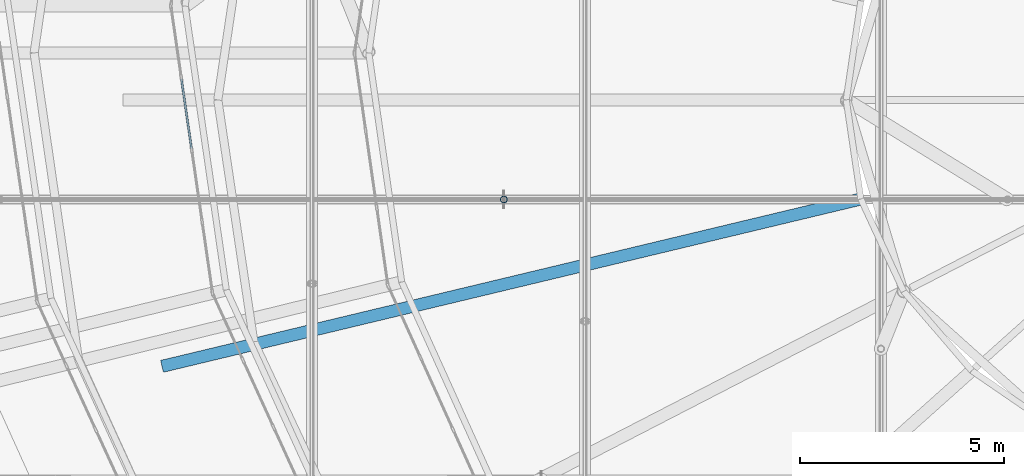
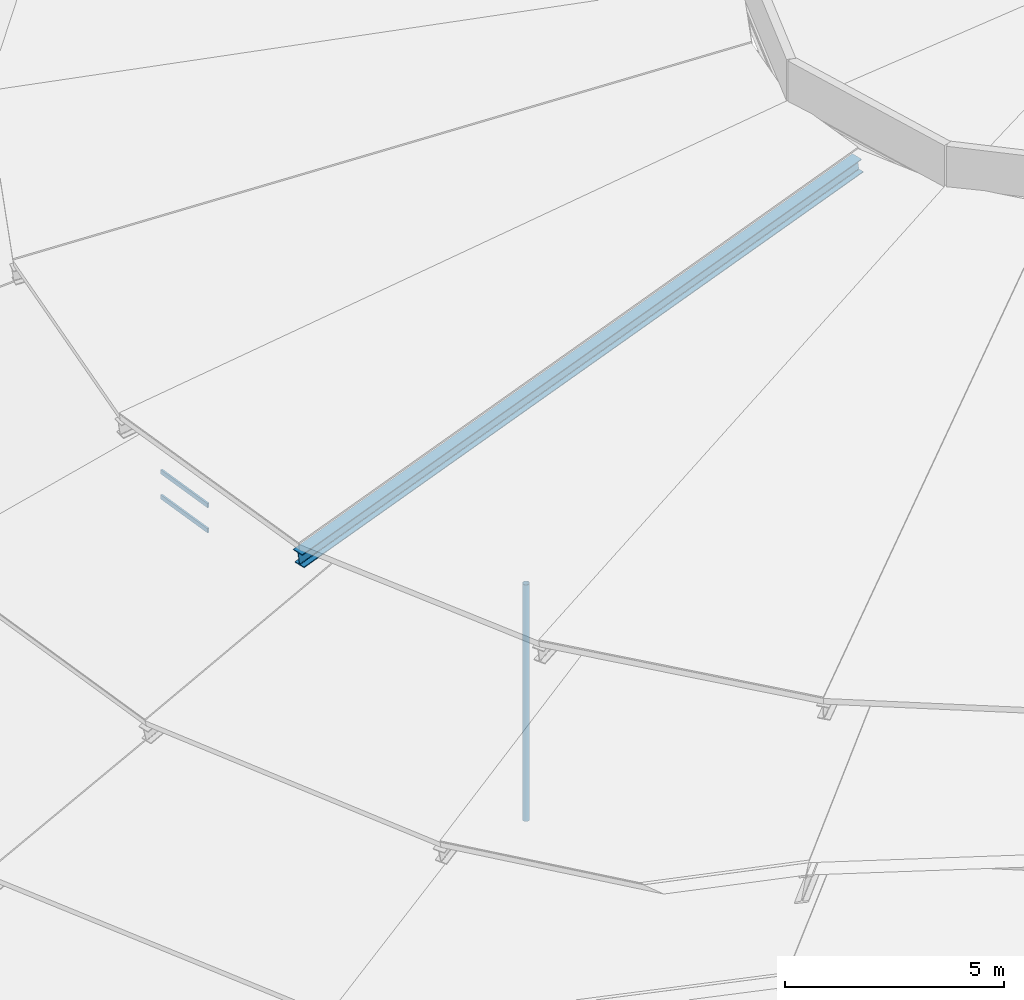
# One storey, part 37 of 173: 4 members, 1 element without a shape of its own.
"""IFC4 building model written with IfcOpenShell, lengths in metres."""

import ifcopenshell
import ifcopenshell.guid

model = None  # the IFC model being written
_history = None  # IfcOwnerHistory: only IFC2X3 demands one
_inside = {}  # id of a spatial element -> (the spatial element, [elements in it])
_under = {}  # id of a project, library or spatial element -> (it, [spatial elements below it])
_declared = {}  # id of a project -> (the project, [libraries it declares])
_typed = {}  # id of a type object -> (the type object, [elements of that type])
_made_of = {}  # id of a material, layer set ... -> (it, [elements and type objects made of it])


def new_model(schema):
    """Start an empty IFC model of exactly this schema.

    Asked for "IFC4X3", IfcOpenShell would pick the latest addendum, in which some entities
    have other attributes; the version numbers below select the first issue.
    IFC2X3 requires an IfcOwnerHistory on every rooted entity: one is made here for all.
    """
    global model, _history
    if schema == "IFC4X3":
        model = ifcopenshell.file(schema_version=(4, 3, 0, 0))
    else:
        model = ifcopenshell.file(schema=schema)
    _inside.clear()
    _under.clear()
    _declared.clear()
    _typed.clear()
    _made_of.clear()
    _history = None
    if model.schema == "IFC2X3":
        org = make("IfcOrganization", Name="unknown")
        user = make(
            "IfcPersonAndOrganization",
            ThePerson=make("IfcPerson", FamilyName="unknown"),
            TheOrganization=org,
        )
        app = make(
            "IfcApplication",
            ApplicationDeveloper=org,
            Version="unknown",
            ApplicationFullName="unknown",
            ApplicationIdentifier="unknown",
        )
        _history = make(
            "IfcOwnerHistory",
            OwningUser=user,
            OwningApplication=app,
            ChangeAction="ADDED",
            CreationDate=0,
        )
    return model


def make(cls, **values):
    """One entity of the class cls with the attributes given. An attribute that is None is left unset."""
    return model.create_entity(
        cls, **{name: value for name, value in values.items() if value is not None}
    )


def rooted(cls, **values):
    """An entity with a GlobalId (a new one), such as an element, a storey or a relation."""
    return make(cls, GlobalId=ifcopenshell.guid.new(), OwnerHistory=_history, **values)


def si_unit(unit_type, name, prefix=None):
    """IfcSIUnit, for example si_unit("LENGTHUNIT", "METRE", prefix="MILLI")."""
    return make("IfcSIUnit", UnitType=unit_type, Prefix=prefix, Name=name)


def assignment(units):
    """IfcUnitAssignment: the units of a project."""
    return None if units is None else make("IfcUnitAssignment", Units=units)


def point(xyz):
    """IfcCartesianPoint."""
    return None if xyz is None else make("IfcCartesianPoint", Coordinates=xyz)


def direction(xyz):
    """IfcDirection."""
    return None if xyz is None else make("IfcDirection", DirectionRatios=xyz)


def frame(location, z_axis=None, x_axis=None):
    """IfcAxis2Placement3D, a coordinate frame: its origin and axes. An axis left out is left unset."""
    return make(
        "IfcAxis2Placement3D",
        Location=point(location),
        Axis=direction(z_axis),
        RefDirection=direction(x_axis),
    )


def frame_2d(location, x_axis=None):
    """IfcAxis2Placement2D, a coordinate frame in the plane: its origin and x axis."""
    return make(
        "IfcAxis2Placement2D", Location=point(location), RefDirection=direction(x_axis)
    )


def origin():
    """The frame at (0, 0, 0) with its axes left unset."""
    return frame((0.0, 0.0, 0.0))


def origin_2d():
    """The frame at (0, 0) in the plane with its x axis left unset."""
    return frame_2d((0.0, 0.0))


def place(relative_to, where):
    """IfcLocalPlacement: puts the frame where relative to a parent placement (None: the world)."""
    return make(
        "IfcLocalPlacement", PlacementRelTo=relative_to, RelativePlacement=where
    )


def context(
    kind, dimensions, precision=None, world=None, true_north=None, identifier=None
):
    """IfcGeometricRepresentationContext, for example the 3D "Model" context."""
    return make(
        "IfcGeometricRepresentationContext",
        ContextIdentifier=identifier,
        ContextType=kind,
        CoordinateSpaceDimension=dimensions,
        Precision=precision,
        WorldCoordinateSystem=world,
        TrueNorth=true_north,
    )


def subcontext(parent, identifier, kind, view, scale=None):
    """IfcGeometricRepresentationSubContext, for example "Body" below "Model"."""
    return make(
        "IfcGeometricRepresentationSubContext",
        ContextIdentifier=identifier,
        ContextType=kind,
        ParentContext=parent,
        TargetScale=scale,
        TargetView=view,
    )


def project(units=None, contexts=None):
    """IfcProject with its units and contexts."""
    return rooted(
        "IfcProject",
        Name="project",
        RepresentationContexts=contexts,
        UnitsInContext=assignment(units),
    )


def spatial(cls, under=None, at=None, **own):
    """A site, building, storey or space (cls), placed at a placement, below another one or the project."""
    s = rooted(cls, ObjectPlacement=at, **own)
    if under is not None:
        _under.setdefault(under.id(), (under, []))[1].append(s)
    return s


def profile(cls, at=None, kind="AREA", **sizes):
    """A parametric profile (cls). Its sizes go by their IFC names, for example OverallWidth=200.0."""
    return make(cls, ProfileType=kind, Position=at, **sizes)


def rectangle(**sizes):
    """IfcRectangleProfileDef."""
    return profile("IfcRectangleProfileDef", **sizes)


def hollow_circle(**sizes):
    """IfcCircleHollowProfileDef."""
    return profile("IfcCircleHollowProfileDef", **sizes)


def i_section(**sizes):
    """IfcIShapeProfileDef."""
    return profile("IfcIShapeProfileDef", **sizes)


def extrude(swept, where, along, depth):
    """IfcExtrudedAreaSolid: the profile swept, set in the frame where, extruded along a direction by depth."""
    return make(
        "IfcExtrudedAreaSolid",
        SweptArea=swept,
        Position=where,
        ExtrudedDirection=direction(along),
        Depth=depth,
    )


def shape(context_of_items, identifier, shape_type, items):
    """IfcShapeRepresentation: the items that make up one representation, for example the "Body"."""
    return make(
        "IfcShapeRepresentation",
        ContextOfItems=context_of_items,
        RepresentationIdentifier=identifier,
        RepresentationType=shape_type,
        Items=items,
    )


def material(Name=None, Category=None):
    """IfcMaterial."""
    return make("IfcMaterial", Name=Name, Category=Category)


def material_profile(
    of_material, cross_section, Name=None, Category=None, Priority=None
):
    """IfcMaterialProfile: a cross section and its material."""
    return make(
        "IfcMaterialProfile",
        Name=Name,
        Material=of_material,
        Profile=cross_section,
        Priority=Priority,
        Category=Category,
    )


def profile_set(profiles, Name=None, composite=None):
    """IfcMaterialProfileSet."""
    return make(
        "IfcMaterialProfileSet",
        Name=Name,
        MaterialProfiles=profiles,
        CompositeProfile=composite,
    )


def made_of(thing, what):
    """Note that an element or type object is made of a material, layer set ...; save() writes the relation."""
    if what is not None:
        _made_of.setdefault(what.id(), (what, []))[1].append(thing)
    return thing


def type_object(cls, material=None, **own):
    """A type object (cls), such as IfcWallType, which elements share."""
    return made_of(rooted(cls, **own), material)


def element(
    cls,
    number,
    at=None,
    inside=None,
    cuts=None,
    type_object=None,
    material=None,
    context=None,
    identifier="Body",
    shape_type=None,
    held_by="IfcProductDefinitionShape",
    body=None,
    shapes=None,
    **own,
):
    """One element of the class cls, such as IfcWall. Its Tag is "e" and its number.

    at: its placement. inside: the storey or other place that contains it. cuts: it is an
    opening in that element (IfcRelVoidsElement). A single representation is given by context,
    identifier, shape_type and body (its items); several are given by shapes. held_by: the class
    of the entity that holds the representations. save() writes the other relations.
    """
    e = rooted(cls, Tag="e%d" % number, ObjectPlacement=at, **own)
    if body is not None:
        shapes = [shape(context, identifier, shape_type, body)]
    if shapes is not None:
        e.Representation = make(held_by, Representations=shapes)
    if inside is not None:
        _inside.setdefault(inside.id(), (inside, []))[1].append(e)
    if cuts is not None:
        rooted(
            "IfcRelVoidsElement", RelatingBuildingElement=cuts, RelatedOpeningElement=e
        )
    if type_object is not None:
        _typed.setdefault(type_object.id(), (type_object, []))[1].append(e)
    return made_of(e, material)


def aggregate(whole, parts):
    """IfcRelAggregates: a whole, such as a stair, and the parts it consists of."""
    return rooted("IfcRelAggregates", RelatingObject=whole, RelatedObjects=parts)


def save(model, path):
    """Write the relations noted so far, then the file.

    IfcRelAggregates (storeys below a building ...), IfcRelContainedInSpatialStructure (elements
    in a storey), IfcRelDefinesByType, IfcRelAssociatesMaterial and IfcRelDeclares: one each for
    every whole, place, type object, material and project.
    """
    for whole, parts in _under.values():
        aggregate(whole, parts)
    for where, things in _inside.values():
        rooted(
            "IfcRelContainedInSpatialStructure",
            RelatedElements=things,
            RelatingStructure=where,
        )
    for kind, things in _typed.values():
        rooted("IfcRelDefinesByType", RelatedObjects=things, RelatingType=kind)
    for what, things in _made_of.values():
        rooted("IfcRelAssociatesMaterial", RelatedObjects=things, RelatingMaterial=what)
    for by, libraries in _declared.values():
        rooted("IfcRelDeclares", RelatingContext=by, RelatedDefinitions=libraries)
    model.write(path)


model = new_model("IFC4")

# Units and contexts
model_context = context("Model", 3, precision=1e-05, world=origin(), true_north=direction((0.0, 1.0)))
body_context = subcontext(model_context, "Body", "Model", "MODEL_VIEW")
ifc_project = project(units=[si_unit("LENGTHUNIT", "METRE"), si_unit("AREAUNIT", "SQUARE_METRE"), si_unit("VOLUMEUNIT", "CUBIC_METRE"), si_unit("PLANEANGLEUNIT", "RADIAN"), si_unit("MASSUNIT", "GRAM", prefix="KILO")], contexts=[model_context])

# Site, building, storey
site_placement = place(None, origin())
site = spatial("IfcSite", under=ifc_project, at=site_placement, CompositionType="ELEMENT")
building_placement = place(site_placement, origin())
building = spatial("IfcBuilding", under=site, at=building_placement, Name="Glasvene Arena", CompositionType="ELEMENT")
storey_placement = place(building_placement, frame((0.0, 0.0, 28.800048828125)))
storey = spatial("IfcBuildingStorey", under=building, at=storey_placement, Name="RF", CompositionType="ELEMENT", Elevation=28.800048828125)

# Curtain wall, members
ifc_material_1 = material(Name="Low-emissivity laminated double glazing", Category="glass")
curtain_wall_type = type_object("IfcCurtainWallType", Name="CW-PET3-711x75", PredefinedType="USERDEFINED", material=ifc_material_1)
curtain_wall_placement = place(storey_placement, frame((59.14990234375, 70.699951171875, 0.0)))
curtain_wall = element("IfcCurtainWall", 1, at=curtain_wall_placement, inside=storey, type_object=curtain_wall_type, Name="Petal ring 3-4 clerestory curtain wall 13", ObjectType="CURTAIN WALL", PredefinedType="USERDEFINED")
ifc_material_2 = material(Name="Anodised architectural aluminium", Category="aluminium")
ifc_material_profile_1 = material_profile(ifc_material_2, rectangle(XDim=0.050048828125, YDim=0.1201171875, at=origin_2d()), Name="ALU TRANSOM 50x120")
ifc_profile_set_1 = profile_set([ifc_material_profile_1], Name="Anodised architectural aluminium")
member_type_1 = type_object("IfcMemberType", Name="CW-TRN-120", PredefinedType="USERDEFINED", material=ifc_profile_set_1)
member_1_placement = place(storey_placement, frame((59.40869140625, 68.915283203125, 7.85498046875), z_axis=(0.143517295736, -0.989647808983, 0.0), x_axis=(0.989647808983, 0.143517295736, 0.0)))
member_1 = element("IfcMember", 2, at=member_1_placement, type_object=member_type_1, Name="CW-093 transom 2.1", ObjectType="TRANSOM", PredefinedType="USERDEFINED", context=body_context, shape_type="SweptSolid", body=[
    extrude(rectangle(XDim=0.050048828125, YDim=0.1201171875, at=origin_2d()), origin(), (0.0, 0.0, 1.0), 1.728271484375),
])
member_2_placement = place(storey_placement, frame((59.40869140625, 68.915283203125, 8.554931640625), z_axis=(0.143517295736, -0.989647808983, 0.0), x_axis=(0.989647808983, 0.143517295736, 0.0)))
member_2 = element("IfcMember", 3, at=member_2_placement, type_object=member_type_1, Name="CW-093 transom 2.2", ObjectType="TRANSOM", PredefinedType="USERDEFINED", context=body_context, shape_type="SweptSolid", body=[
    extrude(rectangle(XDim=0.050048828125, YDim=0.1201171875, at=origin_2d()), origin(), (0.0, 0.0, 1.0), 1.728271484375),
])
aggregate(curtain_wall, [member_1, member_2])

# Members
ifc_material_3 = material(Name="Steel S355J2", Category="steel")
ifc_material_profile_2 = material_profile(ifc_material_3, i_section(OverallWidth=0.300048828125, OverallDepth=0.39990234375, WebThickness=0.013427734375, FlangeThickness=0.02392578125, FilletRadius=0.027099609375, at=origin_2d()), Name="HEB 400")
ifc_profile_set_2 = profile_set([ifc_material_profile_2], Name="Steel S355J2")
member_type_2 = type_object("IfcMemberType", Name="MB-CHORD-HEB400", PredefinedType="CHORD", material=ifc_profile_set_2)
member_3_placement = place(storey_placement, frame((58.9609375, 61.877685546875, 10.550048828125), z_axis=(0.962439625488, 0.230450065547, 0.14353652699), x_axis=(-0.232861340089, 0.972509946629, 0.0)))
element("IfcMember", 4, at=member_3_placement, inside=storey, type_object=member_type_2, Name="Petal ring 5 radial rib 14", PredefinedType="CHORD", context=body_context, shape_type="SweptSolid", body=[
    extrude(i_section(OverallWidth=0.300048828125, OverallDepth=0.39990234375, WebThickness=0.013427734375, FlangeThickness=0.02392578125, FilletRadius=0.027099609375, at=origin_2d()), origin(), (0.0, 0.0, 1.0), 17.76416015625),
])
ifc_material_profile_3 = material_profile(ifc_material_3, hollow_circle(Radius=0.084228515625, WallThickness=0.008056640625, at=origin_2d()), Name="CHS 168.3x8.0")
ifc_profile_set_3 = profile_set([ifc_material_profile_3], Name="Steel S355J2")
member_type_3 = type_object("IfcMemberType", Name="MB-WEB-CHS168", PredefinedType="BRACE", material=ifc_profile_set_3)
member_4_placement = place(storey_placement, frame((67.307861328125, 65.96044921875, -2.112548828125), z_axis=(0.0, 0.0, 1.0), x_axis=(1.0, 0.0, 0.0)))
element("IfcMember", 5, at=member_4_placement, inside=storey, type_object=member_type_3, Name="Cable-truss vertical strut EW03-02", PredefinedType="BRACE", context=body_context, shape_type="SweptSolid", body=[
    extrude(hollow_circle(Radius=0.084228515625, WallThickness=0.008056640625, at=origin_2d()), origin(), (0.0, 0.0, 1.0), 6.58544921875),
])

save(model, "model.ifc")
